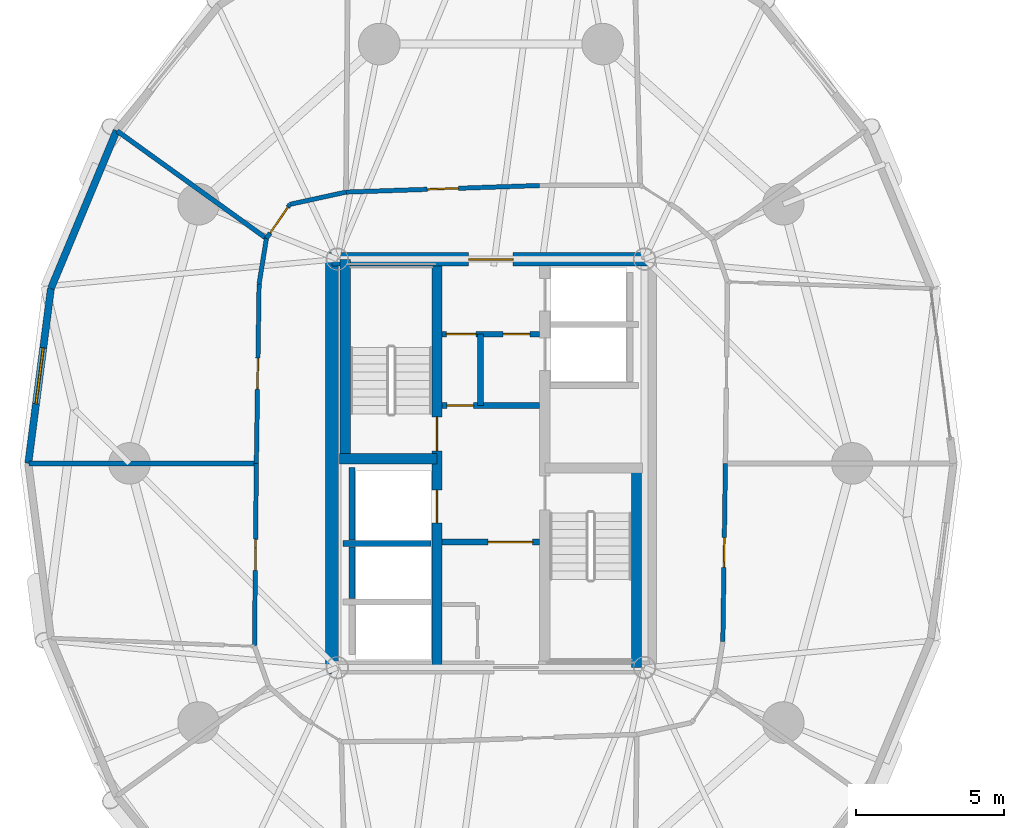
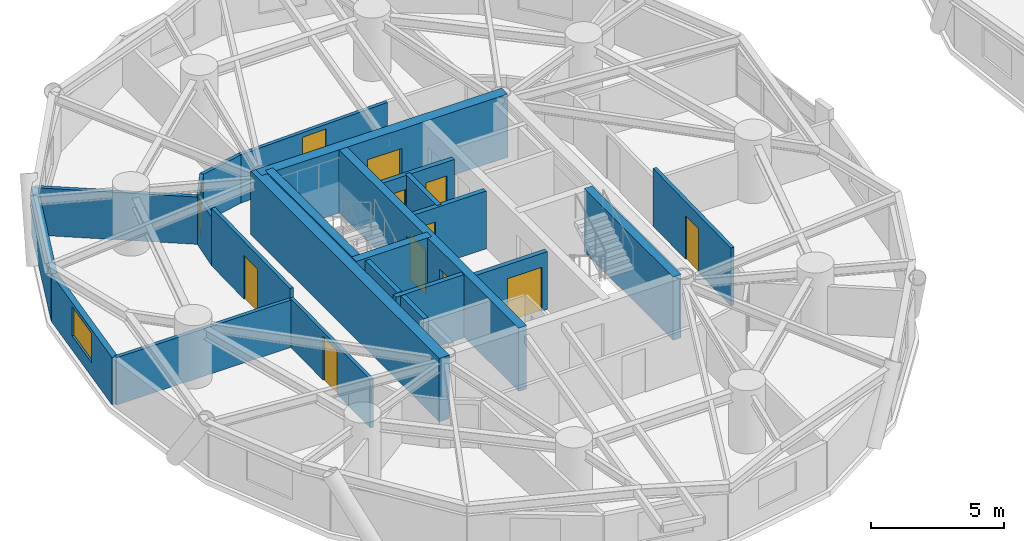
# One storey, part 10 of 17: 24 walls, 12 doors, 1 window, 13 openings.
"""IFC4 building model written with IfcOpenShell, lengths in metres."""

from ifc_helpers import new_model, si_unit, direction, frame, frame_2d, origin, place, context, subcontext, project, spatial, rectangle, extrude, source, transform, mapped, material, layer, layer_set, type_object, element, fill, save


model = new_model("IFC4")

# Units and contexts
model_context = context("Model", 3, precision=1e-05, world=origin(), true_north=direction((0.0, 1.0)))
body_context = subcontext(model_context, "Body", "Model", "MODEL_VIEW")
ifc_project = project(units=[si_unit("LENGTHUNIT", "METRE"), si_unit("AREAUNIT", "SQUARE_METRE"), si_unit("VOLUMEUNIT", "CUBIC_METRE"), si_unit("PLANEANGLEUNIT", "RADIAN"), si_unit("MASSUNIT", "GRAM", prefix="KILO")], contexts=[model_context])

# Site, building, storey
site_placement = place(None, origin())
site = spatial("IfcSite", under=ifc_project, at=site_placement, CompositionType="ELEMENT")
building_placement = place(site_placement, origin())
building = spatial("IfcBuilding", under=site, at=building_placement, Name="Cununo Teusaquillo Station Towers", CompositionType="ELEMENT")
storey_placement = place(building_placement, frame((0.0, 0.0, 81.7900390625)))
storey = spatial("IfcBuildingStorey", under=building, at=storey_placement, Name="L25", CompositionType="ELEMENT", Elevation=81.7900390625)

# Walls
ifc_material_1 = material(Name="Concrete C50/60", Category="concrete")
ifc_layer_1 = layer(ifc_material_1, 0.199951171875)
ifc_layer_set_1 = layer_set([ifc_layer_1], Name="Concrete C50/60")
wall_type_1 = type_object("IfcWallType", Name="WL-CORE-200", PredefinedType="SHEAR", material=ifc_layer_set_1)
wall_1_placement = place(storey_placement, frame((11.52001953125, 21.800048828125, 0.0), z_axis=(0.0, 0.0, 1.0), x_axis=(1.0, 0.0, 0.0)))
element("IfcWall", 1, at=wall_1_placement, inside=storey, type_object=wall_type_1, Name="L25 Tower A Firefighting Lift Shaft South Shear Wall", PredefinedType="SHEAR", context=body_context, shape_type="SweptSolid", body=[
    extrude(rectangle(XDim=2.969970703125, YDim=0.199951171875, at=frame_2d((1.48486328125, 0.0))), origin(), (0.0, 0.0, 1.0), 2.909912109375),
])
wall_2_placement = place(storey_placement, frame((11.820068359375, 21.919921875, 0.0), z_axis=(0.0, 0.0, 1.0), x_axis=(0.0, 1.0, 0.0)))
element("IfcWall", 2, at=wall_2_placement, inside=storey, type_object=wall_type_1, Name="L25 Tower A Firefighting Lift Shaft Rear Shear Wall", PredefinedType="SHEAR", context=body_context, shape_type="SweptSolid", body=[
    extrude(rectangle(XDim=2.440185546875, YDim=0.199951171875, at=frame_2d((1.22021484375, 0.0))), origin(), (0.0, 0.0, 1.0), 2.909912109375),
])
wall_3_placement = place(storey_placement, frame((11.820068359375, 19.945068359375, 0.0), z_axis=(0.0, 0.0, 1.0), x_axis=(0.0, 1.0, 0.0)))
element("IfcWall", 3, at=wall_3_placement, inside=storey, type_object=wall_type_1, Name="L25 Tower A High-Rise Lift 2 Shaft Rear Shear Wall", PredefinedType="SHEAR", context=body_context, shape_type="SweptSolid", body=[
    extrude(rectangle(XDim=1.73486328125, YDim=0.199951171875, at=frame_2d((0.867431640625, 0.0))), origin(), (0.0, 0.0, 1.0), 2.909912109375),
])

# Wall, openings, doors
ifc_material_2 = material(Name="Concrete C50/60", Category="concrete")
ifc_layer_2 = layer(ifc_material_2, 0.35009765625)
ifc_layer_set_2 = layer_set([ifc_layer_2], Name="Concrete C50/60")
wall_type_2 = type_object("IfcWallType", Name="WL-CORE-350", PredefinedType="SHEAR", material=ifc_layer_set_2)
wall_4_placement = place(storey_placement, frame((14.68505859375, 17.625, 0.0), z_axis=(0.0, 0.0, 1.0), x_axis=(0.0, 1.0, 0.0)))
wall_4 = element("IfcWall", 4, at=wall_4_placement, inside=storey, type_object=wall_type_2, Name="L25 Tower A Core Shear Wall IW", PredefinedType="SHEAR", context=body_context, shape_type="SweptSolid", body=[
    extrude(rectangle(XDim=13.75, YDim=0.35009765625, at=frame_2d((6.875, 0.0))), origin(), (0.0, 0.0, 1.0), 2.909912109375),
])
shared_shape_1 = source(origin(), body_context, "Body", "SweptSolid", [
    extrude(rectangle(XDim=1.10009765625, YDim=2.014892578125, at=frame_2d((0.550048828125, 1.00732421875))), frame((0.0, 0.18505859375, 0.0), z_axis=(0.0, -1.0, 0.0), x_axis=(1.0, 0.0, 0.0)), (0.0, 0.0, 1.0), 0.3701171875),
])
opening_1_placement = place(wall_4_placement, frame((4.875, 0.0, 0.0)))
opening_1 = element("IfcOpeningElement", 5, at=opening_1_placement, cuts=wall_4, Name="Opening LD-01", PredefinedType="OPENING", context=body_context, shape_type="MappedRepresentation", body=[
    mapped(shared_shape_1, transform((0.0, 0.0, 0.0), x_axis=(1.0, 0.0, 0.0), y_axis=(0.0, 1.0, 0.0), z_axis=(0.0, 0.0, 1.0), scale=1.0)),
])
shared_shape_2 = source(origin(), body_context, "Body", "SweptSolid", [
    extrude(rectangle(XDim=1.14990234375, YDim=2.02001953125, at=frame_2d((0.574951171875, 1.010009765625))), frame((0.0, 0.18505859375, 0.0), z_axis=(0.0, -1.0, 0.0), x_axis=(1.0, 0.0, 0.0)), (0.0, 0.0, 1.0), 0.3701171875),
])
opening_2_placement = place(wall_4_placement, frame((7.294921875, 0.0, 0.0)))
opening_2 = element("IfcOpeningElement", 6, at=opening_2_placement, cuts=wall_4, Name="Opening D-ST1", PredefinedType="OPENING", context=body_context, shape_type="MappedRepresentation", body=[
    mapped(shared_shape_2, transform((0.0, 0.0, 0.0), x_axis=(1.0, 0.0, 0.0), y_axis=(0.0, 1.0, 0.0), z_axis=(0.0, 0.0, 1.0), scale=1.0)),
])
ifc_material_3 = material(Name="Galvanised fire-rated hollow steel door assembly", Category="steel")
door_type_1 = type_object("IfcDoorType", Name="DR-LIFT-1100", OperationType="SLIDING_TO_LEFT", PredefinedType="DOOR", material=ifc_material_3)
shared_shape_3 = source(origin(), body_context, "Body", "SweptSolid", [
    extrude(rectangle(XDim=1.10009765625, YDim=2.014892578125, at=frame_2d((0.550048828125, 1.00732421875))), frame((0.0, 0.02490234375, 0.0), z_axis=(0.0, -1.0, 0.0), x_axis=(1.0, 0.0, 0.0)), (0.0, 0.0, 1.0), 0.050048828125),
])
door_1_placement = place(opening_1_placement, origin())
door_1 = element("IfcDoor", 7, at=door_1_placement, inside=storey, type_object=door_type_1, Name="L25 Lift FL-T1 Sliding Landing Door", OperationType="SLIDING_TO_RIGHT", OverallHeight=2.014892578125, OverallWidth=1.10009765625, PredefinedType="DOOR", context=body_context, shape_type="MappedRepresentation", body=[
    mapped(shared_shape_3, transform((0.0, 0.0, 0.0), x_axis=(1.0, 0.0, 0.0), y_axis=(0.0, 1.0, 0.0), z_axis=(0.0, 0.0, 1.0), scale=1.0)),
])
fill(opening_1, door_1)
ifc_material_4 = material(Name="Galvanised fire-rated hollow steel door assembly", Category="steel")
door_type_2 = type_object("IfcDoorType", Name="DR-STAIR-1150", OperationType="NOTDEFINED", PredefinedType="DOOR", material=ifc_material_4)
shared_shape_4 = source(origin(), body_context, "Body", "SweptSolid", [
    extrude(rectangle(XDim=1.14990234375, YDim=2.02001953125, at=frame_2d((0.574951171875, 1.010009765625))), frame((0.0, 0.02490234375, 0.0), z_axis=(0.0, -1.0, 0.0), x_axis=(1.0, 0.0, 0.0)), (0.0, 0.0, 1.0), 0.050048828125),
])
door_2_placement = place(opening_2_placement, origin())
door_2 = element("IfcDoor", 8, at=door_2_placement, inside=storey, type_object=door_type_2, Name="L25 Tower A Exit Stair 1 Fire Door", OperationType="SINGLE_SWING_LEFT", OverallHeight=2.02001953125, OverallWidth=1.14990234375, PredefinedType="DOOR", context=body_context, shape_type="MappedRepresentation", body=[
    mapped(shared_shape_4, transform((0.0, 0.0, 0.0), x_axis=(1.0, 0.0, 0.0), y_axis=(0.0, 1.0, 0.0), z_axis=(0.0, 0.0, 1.0), scale=1.0)),
])
fill(opening_2, door_2)

# Walls
wall_5_placement = place(storey_placement, frame((11.594970703125, 24.655029296875, 0.0), z_axis=(0.0, 0.0, 1.0), x_axis=(0.0, 1.0, 0.0)))
element("IfcWall", 9, at=wall_5_placement, inside=storey, type_object=wall_type_2, Name="L25 Tower A Core Shear Wall ST1W", PredefinedType="SHEAR", context=body_context, shape_type="SweptSolid", body=[
    extrude(rectangle(XDim=6.719970703125, YDim=0.35009765625, at=frame_2d((3.35986328125, 0.0))), origin(), (0.0, 0.0, 1.0), 2.909912109375),
])
wall_6_placement = place(storey_placement, frame((11.39990234375, 24.655029296875, 0.0), z_axis=(0.0, 0.0, 1.0), x_axis=(1.0, 0.0, 0.0)))
element("IfcWall", 10, at=wall_6_placement, inside=storey, type_object=wall_type_2, Name="L25 Tower A Core Shear Wall ST1S", PredefinedType="SHEAR", context=body_context, shape_type="SweptSolid", body=[
    extrude(rectangle(XDim=3.28515625, YDim=0.35009765625, at=frame_2d((1.642578125, 0.0))), origin(), (0.0, 0.0, 1.0), 2.909912109375),
])
wall_7_placement = place(storey_placement, frame((21.405029296875, 17.625, 0.0), z_axis=(0.0, 0.0, 1.0), x_axis=(0.0, 1.0, 0.0)))
element("IfcWall", 11, at=wall_7_placement, inside=storey, type_object=wall_type_2, Name="L25 Tower A Core Shear Wall ST2E", PredefinedType="SHEAR", context=body_context, shape_type="SweptSolid", body=[
    extrude(rectangle(XDim=6.719970703125, YDim=0.35009765625, at=frame_2d((3.35986328125, 0.0))), origin(), (0.0, 0.0, 1.0), 2.909912109375),
])
ifc_material_5 = material(Name="Concrete C60/75", Category="concrete")
ifc_layer_3 = layer(ifc_material_5, 0.449951171875)
ifc_layer_set_3 = layer_set([ifc_layer_3], Name="Concrete C60/75")
wall_type_3 = type_object("IfcWallType", Name="WL-CORE-450", PredefinedType="SHEAR", material=ifc_layer_set_3)
wall_8_placement = place(storey_placement, frame((11.14990234375, 17.39990234375, 0.0), z_axis=(0.0, 0.0, 1.0), x_axis=(0.0, 1.0, 0.0)))
element("IfcWall", 12, at=wall_8_placement, inside=storey, type_object=wall_type_3, Name="L25 Tower A Core Shear Wall W", PredefinedType="SHEAR", context=body_context, shape_type="SweptSolid", body=[
    extrude(rectangle(XDim=14.2001953125, YDim=0.449951171875, at=frame_2d((7.10009765625, 0.0))), origin(), (0.0, 0.0, 1.0), 2.909912109375),
])

# Wall, opening, door
wall_9_placement = place(storey_placement, frame((11.14990234375, 31.375, 0.0), z_axis=(0.0, 0.0, 1.0), x_axis=(1.0, 0.0, 0.0)))
wall_9 = element("IfcWall", 13, at=wall_9_placement, inside=storey, type_object=wall_type_3, Name="L25 Tower A Core Shear Wall N", PredefinedType="SHEAR", context=body_context, shape_type="SweptSolid", body=[
    extrude(rectangle(XDim=10.7001953125, YDim=0.449951171875, at=frame_2d((5.35009765625, 0.0))), origin(), (0.0, 0.0, 1.0), 2.909912109375),
])
shared_shape_5 = source(origin(), body_context, "Body", "SweptSolid", [
    extrude(rectangle(XDim=1.5, YDim=2.02001953125, at=frame_2d((0.75, 1.010009765625))), frame((0.0, 0.23486328125, 0.0), z_axis=(0.0, -1.0, 0.0), x_axis=(1.0, 0.0, 0.0)), (0.0, 0.0, 1.0), 0.469970703125),
])
opening_3_placement = place(wall_9_placement, frame((4.60009765625, 0.0, 0.0)))
opening_3 = element("IfcOpeningElement", 14, at=opening_3_placement, cuts=wall_9, Name="Opening D-LB1", PredefinedType="OPENING", context=body_context, shape_type="MappedRepresentation", body=[
    mapped(shared_shape_5, transform((0.0, 0.0, 0.0), x_axis=(1.0, 0.0, 0.0), y_axis=(0.0, 1.0, 0.0), z_axis=(0.0, 0.0, 1.0), scale=1.0)),
])
ifc_material_6 = material(Name="Galvanised fire-rated hollow steel door assembly", Category="steel")
door_type_3 = type_object("IfcDoorType", Name="DR-LOBBY-1500", OperationType="DOUBLE_DOOR_SINGLE_SWING", PredefinedType="DOOR", material=ifc_material_6)
shared_shape_6 = source(origin(), body_context, "Body", "SweptSolid", [
    extrude(rectangle(XDim=1.5, YDim=2.02001953125, at=frame_2d((0.75, 1.010009765625))), frame((0.0, 0.02490234375, 0.0), z_axis=(0.0, -1.0, 0.0), x_axis=(1.0, 0.0, 0.0)), (0.0, 0.0, 1.0), 0.050048828125),
])
door_3_placement = place(opening_3_placement, origin())
door_3 = element("IfcDoor", 15, at=door_3_placement, inside=storey, type_object=door_type_3, Name="L25 Tower A North Core Lift Lobby Door", OperationType="DOUBLE_DOOR_SINGLE_SWING", OverallHeight=2.02001953125, OverallWidth=1.5, PredefinedType="DOOR", context=body_context, shape_type="MappedRepresentation", body=[
    mapped(shared_shape_6, transform((0.0, 0.0, 0.0), x_axis=(1.0, 0.0, 0.0), y_axis=(0.0, 1.0, 0.0), z_axis=(0.0, 0.0, 1.0), scale=1.0)),
])
fill(opening_3, door_3)

# Wall
ifc_material_7 = material(Name="Precast concrete C40/50", Category="concrete")
ifc_layer_4 = layer(ifc_material_7, 0.239990234375)
ifc_layer_set_4 = layer_set([ifc_layer_4], Name="Precast concrete C40/50")
wall_type_4 = type_object("IfcWallType", Name="WL-EXT-240", PredefinedType="SOLIDWALL", material=ifc_layer_set_4)
wall_10_placement = place(storey_placement, frame((1.681640625, 30.39306640625, 0.0), z_axis=(0.0, 0.0, 1.0), x_axis=(0.384344417632, 0.923189779317, 0.0)))
element("IfcWall", 16, at=wall_10_placement, inside=storey, type_object=wall_type_4, Name="L25 Tower A Exterior Facade Wall C08", PredefinedType="SOLIDWALL", context=body_context, shape_type="SweptSolid", body=[
    extrude(rectangle(XDim=5.75830078125, YDim=0.239990234375, at=frame_2d((2.879150390625, 0.0))), origin(), (0.0, 0.0, 1.0), 2.178955078125),
])

# Wall, opening, window
wall_11_placement = place(storey_placement, frame((0.9189453125, 24.5, 0.0), z_axis=(0.0, 0.0, 1.0), x_axis=(0.128351991996, 0.991728675672, 0.0)))
wall_11 = element("IfcWall", 17, at=wall_11_placement, inside=storey, type_object=wall_type_4, Name="L25 Tower A Exterior Facade Wall C09", PredefinedType="SOLIDWALL", context=body_context, shape_type="SweptSolid", body=[
    extrude(rectangle(XDim=5.942138671875, YDim=0.239990234375, at=frame_2d((2.97119140625, 0.0))), origin(), (0.0, 0.0, 1.0), 2.178955078125),
])
shared_shape_7 = source(origin(), body_context, "Body", "SweptSolid", [
    extrude(rectangle(XDim=1.89990234375, YDim=1.35009765625, at=frame_2d((0.949951171875, 0.675048828125))), frame((0.0, 0.1298828125, 0.0), z_axis=(0.0, -1.0, 0.0), x_axis=(1.0, 0.0, 0.0)), (0.0, 0.0, 1.0), 0.260009765625),
])
opening_4_placement = place(wall_11_placement, frame((2.02099609375, 0.0, 0.64990234375)))
opening_4 = element("IfcOpeningElement", 18, at=opening_4_placement, cuts=wall_11, Name="Opening WN-02", PredefinedType="OPENING", context=body_context, shape_type="MappedRepresentation", body=[
    mapped(shared_shape_7, transform((0.0, 0.0, 0.0), x_axis=(1.0, 0.0, 0.0), y_axis=(0.0, 1.0, 0.0), z_axis=(0.0, 0.0, 1.0), scale=1.0)),
])
ifc_material_8 = material(Name="Operable acoustic tinted low-E double glazing", Category="glass")
window_type = type_object("IfcWindowType", Name="WIN-OPER-1900", PartitioningType="DOUBLE_PANEL_VERTICAL", PredefinedType="WINDOW", material=ifc_material_8)
shared_shape_8 = source(origin(), body_context, "Body", "SweptSolid", [
    extrude(rectangle(XDim=1.89990234375, YDim=1.35009765625, at=frame_2d((0.949951171875, 0.675048828125))), frame((0.0, 0.030029296875, 0.0), z_axis=(0.0, -1.0, 0.0), x_axis=(1.0, 0.0, 0.0)), (0.0, 0.0, 1.0), 0.06005859375),
])
window_placement = place(opening_4_placement, origin())
window = element("IfcWindow", 19, at=window_placement, inside=storey, type_object=window_type, Name="L25 Tower A Facade Window C09", OverallHeight=1.35009765625, OverallWidth=1.89990234375, PartitioningType="DOUBLE_PANEL_VERTICAL", PredefinedType="WINDOW", context=body_context, shape_type="MappedRepresentation", body=[
    mapped(shared_shape_8, transform((0.0, 0.0, 0.0), x_axis=(1.0, 0.0, 0.0), y_axis=(0.0, 1.0, 0.0), z_axis=(0.0, 0.0, 1.0), scale=1.0)),
])
fill(opening_4, window)

# Wall, opening, door
ifc_material_9 = material(Name="Fire-rated gypsum plasterboard partition assembly", Category="gypsum")
ifc_layer_5 = layer(ifc_material_9, 0.14990234375)
ifc_layer_set_5 = layer_set([ifc_layer_5], Name="Fire-rated gypsum plasterboard partition assembly")
wall_type_5 = type_object("IfcWallType", Name="WL-PART-150", PredefinedType="PARTITIONING", material=ifc_layer_set_5)
wall_12_placement = place(storey_placement, frame((18.142822265625, 33.859619140625, 0.0), z_axis=(0.0, 0.0, 1.0), x_axis=(-0.999419208319, -0.034077060363, 0.0)))
wall_12 = element("IfcWall", 20, at=wall_12_placement, inside=storey, type_object=wall_type_5, Name="L25 Tower A Corridor Ring Wall C05", PredefinedType="PARTITIONING", context=body_context, shape_type="SweptSolid", body=[
    extrude(rectangle(XDim=6.52685546875, YDim=0.14990234375, at=frame_2d((3.263427734375, 0.0))), origin(), (0.0, 0.0, 1.0), 2.224853515625),
])
shared_shape_9 = source(origin(), body_context, "Body", "SweptSolid", [
    extrude(rectangle(XDim=1.050048828125, YDim=2.014892578125, at=frame_2d((0.52490234375, 1.00732421875))), frame((0.0, 0.0849609375, 0.0), z_axis=(0.0, -1.0, 0.0), x_axis=(1.0, 0.0, 0.0)), (0.0, 0.0, 1.0), 0.169921875),
])
opening_5_placement = place(wall_12_placement, frame((2.73828125, 0.0, 0.0)))
opening_5 = element("IfcOpeningElement", 21, at=opening_5_placement, cuts=wall_12, Name="Opening D-SU1", PredefinedType="OPENING", context=body_context, shape_type="MappedRepresentation", body=[
    mapped(shared_shape_9, transform((0.0, 0.0, 0.0), x_axis=(1.0, 0.0, 0.0), y_axis=(0.0, 1.0, 0.0), z_axis=(0.0, 0.0, 1.0), scale=1.0)),
])
ifc_material_10 = material(Name="Acoustic solid-core hardwood leaf assembly", Category="wood")
door_type_4 = type_object("IfcDoorType", Name="DR-SUITE-1050", OperationType="NOTDEFINED", PredefinedType="DOOR", material=ifc_material_10)
shared_shape_10 = source(origin(), body_context, "Body", "SweptSolid", [
    extrude(rectangle(XDim=1.050048828125, YDim=2.014892578125, at=frame_2d((0.52490234375, 1.00732421875))), frame((0.0, 0.02490234375, 0.0), z_axis=(0.0, -1.0, 0.0), x_axis=(1.0, 0.0, 0.0)), (0.0, 0.0, 1.0), 0.050048828125),
])
door_4_placement = place(opening_5_placement, origin())
door_4 = element("IfcDoor", 22, at=door_4_placement, inside=storey, type_object=door_type_4, Name="L25 Tower A Associate Open-Plan Workplace Entrance Door", OperationType="SINGLE_SWING_RIGHT", OverallHeight=2.014892578125, OverallWidth=1.050048828125, PredefinedType="DOOR", context=body_context, shape_type="MappedRepresentation", body=[
    mapped(shared_shape_10, transform((0.0, 0.0, 0.0), x_axis=(1.0, 0.0, 0.0), y_axis=(0.0, 1.0, 0.0), z_axis=(0.0, 0.0, 1.0), scale=1.0)),
])
fill(opening_5, door_4)

# Wall
wall_13_placement = place(storey_placement, frame((11.619873046875, 33.63720703125, 0.0), z_axis=(0.0, 0.0, 1.0), x_axis=(-0.97702579435, -0.213121085711, 0.0)))
element("IfcWall", 23, at=wall_13_placement, inside=storey, type_object=wall_type_5, Name="L25 Tower A Corridor Ring Wall C06", PredefinedType="PARTITIONING", context=body_context, shape_type="SweptSolid", body=[
    extrude(rectangle(XDim=1.934814453125, YDim=0.14990234375, at=frame_2d((0.96728515625, 0.0))), origin(), (0.0, 0.0, 1.0), 2.224853515625),
])

# Wall, opening, door
wall_14_placement = place(storey_placement, frame((9.7294921875, 33.224853515625, 0.0), z_axis=(0.0, 0.0, 1.0), x_axis=(-0.567183649484, -0.82359134755, 0.0)))
wall_14 = element("IfcWall", 24, at=wall_14_placement, inside=storey, type_object=wall_type_5, Name="L25 Tower A Corridor Ring Wall C07", PredefinedType="PARTITIONING", context=body_context, shape_type="SweptSolid", body=[
    extrude(rectangle(XDim=1.39208984375, YDim=0.14990234375, at=frame_2d((0.696044921875, 0.0))), origin(), (0.0, 0.0, 1.0), 2.224853515625),
])
opening_6_placement = place(wall_14_placement, frame((0.1201171875, 0.0, 0.0)))
opening_6 = element("IfcOpeningElement", 25, at=opening_6_placement, cuts=wall_14, Name="Opening D-SU1", PredefinedType="OPENING", context=body_context, shape_type="MappedRepresentation", body=[
    mapped(shared_shape_9, transform((0.0, 0.0, 0.0), x_axis=(1.0, 0.0, 0.0), y_axis=(0.0, 1.0, 0.0), z_axis=(0.0, 0.0, 1.0), scale=1.0)),
])
door_5_placement = place(opening_6_placement, origin())
door_5 = element("IfcDoor", 26, at=door_5_placement, inside=storey, type_object=door_type_4, Name="L25 Tower A Legal Research Library Entrance Door", OperationType="SINGLE_SWING_LEFT", OverallHeight=2.014892578125, OverallWidth=1.050048828125, PredefinedType="DOOR", context=body_context, shape_type="MappedRepresentation", body=[
    mapped(shared_shape_10, transform((0.0, 0.0, 0.0), x_axis=(1.0, 0.0, 0.0), y_axis=(0.0, 1.0, 0.0), z_axis=(0.0, 0.0, 1.0), scale=1.0)),
])
fill(opening_6, door_5)

# Wall
wall_15_placement = place(storey_placement, frame((8.93994140625, 32.078369140625, 0.0), z_axis=(0.0, 0.0, 1.0), x_axis=(-0.159148467753, -0.98725466077, 0.0)))
element("IfcWall", 27, at=wall_15_placement, inside=storey, type_object=wall_type_5, Name="L25 Tower A Corridor Ring Wall C08", PredefinedType="PARTITIONING", context=body_context, shape_type="SweptSolid", body=[
    extrude(rectangle(XDim=1.553955078125, YDim=0.14990234375, at=frame_2d((0.77685546875, 0.0))), origin(), (0.0, 0.0, 1.0), 2.224853515625),
])

# Wall, opening, door
wall_16_placement = place(storey_placement, frame((8.692626953125, 30.544189453125, 0.0), z_axis=(0.0, 0.0, 1.0), x_axis=(-0.015307007986, -0.99988284089, 0.0)))
wall_16 = element("IfcWall", 28, at=wall_16_placement, inside=storey, type_object=wall_type_5, Name="L25 Tower A Corridor Ring Wall C09", PredefinedType="PARTITIONING", context=body_context, shape_type="SweptSolid", body=[
    extrude(rectangle(XDim=6.044921875, YDim=0.14990234375, at=frame_2d((3.0224609375, 0.0))), origin(), (0.0, 0.0, 1.0), 2.655029296875),
])
opening_7_placement = place(wall_16_placement, frame((2.497314453125, 0.0, 0.0)))
opening_7 = element("IfcOpeningElement", 29, at=opening_7_placement, cuts=wall_16, Name="Opening D-SU1", PredefinedType="OPENING", context=body_context, shape_type="MappedRepresentation", body=[
    mapped(shared_shape_9, transform((0.0, 0.0, 0.0), x_axis=(1.0, 0.0, 0.0), y_axis=(0.0, 1.0, 0.0), z_axis=(0.0, 0.0, 1.0), scale=1.0)),
])
door_6_placement = place(opening_7_placement, origin())
door_6 = element("IfcDoor", 30, at=door_6_placement, inside=storey, type_object=door_type_4, Name="L25 Tower A Paralegal Casework Office Entrance Door", OperationType="SINGLE_SWING_RIGHT", OverallHeight=2.014892578125, OverallWidth=1.050048828125, PredefinedType="DOOR", context=body_context, shape_type="MappedRepresentation", body=[
    mapped(shared_shape_10, transform((0.0, 0.0, 0.0), x_axis=(1.0, 0.0, 0.0), y_axis=(0.0, 1.0, 0.0), z_axis=(0.0, 0.0, 1.0), scale=1.0)),
])
fill(opening_7, door_6)

wall_17_placement = place(storey_placement, frame((8.60009765625, 24.5, 0.0), z_axis=(0.0, 0.0, 1.0), x_axis=(-0.010023665349, -0.999949761805, 0.0)))
wall_17 = element("IfcWall", 31, at=wall_17_placement, inside=storey, type_object=wall_type_5, Name="L25 Tower A Corridor Ring Wall C10", PredefinedType="PARTITIONING", context=body_context, shape_type="SweptSolid", body=[
    extrude(rectangle(XDim=6.162109375, YDim=0.14990234375, at=frame_2d((3.0810546875, 0.0))), origin(), (0.0, 0.0, 1.0), 2.224853515625),
])
opening_8_placement = place(wall_17_placement, frame((2.55615234375, 0.0, 0.0)))
opening_8 = element("IfcOpeningElement", 32, at=opening_8_placement, cuts=wall_17, Name="Opening D-SU1", PredefinedType="OPENING", context=body_context, shape_type="MappedRepresentation", body=[
    mapped(shared_shape_9, transform((0.0, 0.0, 0.0), x_axis=(1.0, 0.0, 0.0), y_axis=(0.0, 1.0, 0.0), z_axis=(0.0, 0.0, 1.0), scale=1.0)),
])
door_7_placement = place(opening_8_placement, origin())
door_7 = element("IfcDoor", 33, at=door_7_placement, inside=storey, type_object=door_type_4, Name="L25 Tower A Managing Partner Corner Chambers Entrance Door", OperationType="SINGLE_SWING_LEFT", OverallHeight=2.014892578125, OverallWidth=1.050048828125, PredefinedType="DOOR", context=body_context, shape_type="MappedRepresentation", body=[
    mapped(shared_shape_10, transform((0.0, 0.0, 0.0), x_axis=(1.0, 0.0, 0.0), y_axis=(0.0, 1.0, 0.0), z_axis=(0.0, 0.0, 1.0), scale=1.0)),
])
fill(opening_8, door_7)

wall_18_placement = place(storey_placement, frame((24.3134765625, 18.496337890625, 0.0), z_axis=(0.0, 0.0, 1.0), x_axis=(0.014394019188, 0.999896400739, 0.0)))
wall_18 = element("IfcWall", 34, at=wall_18_placement, inside=storey, type_object=wall_type_5, Name="L25 Tower A Corridor Ring Wall C19", PredefinedType="PARTITIONING", context=body_context, shape_type="SweptSolid", body=[
    extrude(rectangle(XDim=6.00439453125, YDim=0.14990234375, at=frame_2d((3.002197265625, 0.0))), origin(), (0.0, 0.0, 1.0), 2.655029296875),
])
shared_shape_11 = source(origin(), body_context, "Body", "SweptSolid", [
    extrude(rectangle(XDim=1.0, YDim=2.014892578125, at=frame_2d((0.5, 1.00732421875))), frame((0.0, 0.0849609375, 0.0), z_axis=(0.0, -1.0, 0.0), x_axis=(1.0, 0.0, 0.0)), (0.0, 0.0, 1.0), 0.169921875),
])
opening_9_placement = place(wall_18_placement, frame((2.502197265625, 0.0, 0.0)))
opening_9 = element("IfcOpeningElement", 35, at=opening_9_placement, cuts=wall_18, Name="Opening D-AC1", PredefinedType="OPENING", context=body_context, shape_type="MappedRepresentation", body=[
    mapped(shared_shape_11, transform((0.0, 0.0, 0.0), x_axis=(1.0, 0.0, 0.0), y_axis=(0.0, 1.0, 0.0), z_axis=(0.0, 0.0, 1.0), scale=1.0)),
])
ifc_material_11 = material(Name="Acoustic solid-core hardwood leaf assembly", Category="wood")
door_type_5 = type_object("IfcDoorType", Name="DR-ACC-1000", OperationType="NOTDEFINED", PredefinedType="DOOR", material=ifc_material_11)
shared_shape_12 = source(origin(), body_context, "Body", "SweptSolid", [
    extrude(rectangle(XDim=1.0, YDim=2.014892578125, at=frame_2d((0.5, 1.00732421875))), frame((0.0, 0.02490234375, 0.0), z_axis=(0.0, -1.0, 0.0), x_axis=(1.0, 0.0, 0.0)), (0.0, 0.0, 1.0), 0.050048828125),
])
door_8_placement = place(opening_9_placement, origin())
door_8 = element("IfcDoor", 36, at=door_8_placement, inside=storey, type_object=door_type_5, Name="L25 Tower A Public Accessible Restroom WC Entrance Door", OperationType="SINGLE_SWING_RIGHT", OverallHeight=2.014892578125, OverallWidth=1.0, PredefinedType="DOOR", context=body_context, shape_type="MappedRepresentation", body=[
    mapped(shared_shape_12, transform((0.0, 0.0, 0.0), x_axis=(1.0, 0.0, 0.0), y_axis=(0.0, 1.0, 0.0), z_axis=(0.0, 0.0, 1.0), scale=1.0)),
])
fill(opening_9, door_8)

# Walls
ifc_material_12 = material(Name="Fire-rated gypsum plasterboard partition assembly", Category="gypsum")
ifc_layer_6 = layer(ifc_material_12, 0.159912109375)
ifc_layer_set_6 = layer_set([ifc_layer_6], Name="Fire-rated gypsum plasterboard partition assembly")
wall_type_6 = type_object("IfcWallType", Name="WL-PART-160", PredefinedType="PARTITIONING", material=ifc_layer_set_6)
wall_19_placement = place(storey_placement, frame((8.93994140625, 32.078369140625, 0.0), z_axis=(0.0, 0.0, 1.0), x_axis=(-0.811689023641, 0.584089829479, 0.0)))
element("IfcWall", 37, at=wall_19_placement, inside=storey, type_object=wall_type_6, Name="L25 Tower A Radial Suite Partition R05", PredefinedType="PARTITIONING", context=body_context, shape_type="SweptSolid", body=[
    extrude(rectangle(XDim=6.19580078125, YDim=0.159912109375, at=frame_2d((3.097900390625, 0.0))), origin(), (0.0, 0.0, 1.0), 2.178955078125),
])
wall_20_placement = place(storey_placement, frame((8.60009765625, 24.5, 0.0), z_axis=(0.0, 0.0, 1.0), x_axis=(-1.0, 0.0, 0.0)))
element("IfcWall", 38, at=wall_20_placement, inside=storey, type_object=wall_type_6, Name="L25 Tower A Radial Suite Partition R06", PredefinedType="PARTITIONING", context=body_context, shape_type="SweptSolid", body=[
    extrude(rectangle(XDim=7.6611328125, YDim=0.159912109375, at=frame_2d((3.83056640625, 0.0))), origin(), (0.0, 0.0, 1.0), 2.178955078125),
])

# Wall, opening, door
ifc_material_13 = material(Name="Fire-rated gypsum plasterboard partition assembly", Category="gypsum")
ifc_layer_7 = layer(ifc_material_13, 0.199951171875)
ifc_layer_set_7 = layer_set([ifc_layer_7], Name="Fire-rated gypsum plasterboard partition assembly")
wall_type_7 = type_object("IfcWallType", Name="WL-PART-200", PredefinedType="PARTITIONING", material=ifc_layer_set_7)
wall_21_placement = place(storey_placement, frame((14.860107421875, 21.85009765625, 0.0), z_axis=(0.0, 0.0, 1.0), x_axis=(1.0, 0.0, 0.0)))
wall_21 = element("IfcWall", 39, at=wall_21_placement, inside=storey, type_object=wall_type_7, Name="L25 Tower A Firefighting Lift Lobby South Fire Wall", PredefinedType="PARTITIONING", context=body_context, shape_type="SweptSolid", body=[
    extrude(rectangle(XDim=3.27978515625, YDim=0.199951171875, at=frame_2d((1.639892578125, 0.0))), origin(), (0.0, 0.0, 1.0), 2.655029296875),
])
shared_shape_13 = source(origin(), body_context, "Body", "SweptSolid", [
    extrude(rectangle(XDim=1.5, YDim=2.02001953125, at=frame_2d((0.75, 1.010009765625))), frame((0.0, 0.10986328125, 0.0), z_axis=(0.0, -1.0, 0.0), x_axis=(1.0, 0.0, 0.0)), (0.0, 0.0, 1.0), 0.219970703125),
])
opening_10_placement = place(wall_21_placement, frame((1.550048828125, 0.0, 0.0)))
opening_10 = element("IfcOpeningElement", 40, at=opening_10_placement, cuts=wall_21, Name="Opening D-LB1", PredefinedType="OPENING", context=body_context, shape_type="MappedRepresentation", body=[
    mapped(shared_shape_13, transform((0.0, 0.0, 0.0), x_axis=(1.0, 0.0, 0.0), y_axis=(0.0, 1.0, 0.0), z_axis=(0.0, 0.0, 1.0), scale=1.0)),
])
door_9_placement = place(opening_10_placement, origin())
door_9 = element("IfcDoor", 41, at=door_9_placement, inside=storey, type_object=door_type_3, Name="L25 Tower A Firefighting Lift Lobby South Fire Door", OperationType="DOUBLE_DOOR_SINGLE_SWING", OverallHeight=2.02001953125, OverallWidth=1.5, PredefinedType="DOOR", context=body_context, shape_type="MappedRepresentation", body=[
    mapped(shared_shape_6, transform((0.0, 0.0, 0.0), x_axis=(1.0, 0.0, 0.0), y_axis=(0.0, 1.0, 0.0), z_axis=(0.0, 0.0, 1.0), scale=1.0)),
])
fill(opening_10, door_9)

wall_22_placement = place(storey_placement, frame((14.860107421875, 26.449951171875, 0.0), z_axis=(0.0, 0.0, 1.0), x_axis=(1.0, 0.0, 0.0)))
wall_22 = element("IfcWall", 42, at=wall_22_placement, inside=storey, type_object=wall_type_7, Name="L25 Tower A Firefighting Lift Lobby North Fire Wall", PredefinedType="PARTITIONING", context=body_context, shape_type="SweptSolid", body=[
    extrude(rectangle(XDim=3.27978515625, YDim=0.199951171875, at=frame_2d((1.639892578125, 0.0))), origin(), (0.0, 0.0, 1.0), 2.655029296875),
])
shared_shape_14 = source(origin(), body_context, "Body", "SweptSolid", [
    extrude(rectangle(XDim=0.89990234375, YDim=2.0048828125, at=frame_2d((0.449951171875, 1.00244140625))), frame((0.0, 0.10986328125, 0.0), z_axis=(0.0, -1.0, 0.0), x_axis=(1.0, 0.0, 0.0)), (0.0, 0.0, 1.0), 0.219970703125),
])
opening_11_placement = place(wall_22_placement, frame((0.159912109375, 0.0, 0.0)))
opening_11 = element("IfcOpeningElement", 43, at=opening_11_placement, cuts=wall_22, Name="Opening D-SR1", PredefinedType="OPENING", context=body_context, shape_type="MappedRepresentation", body=[
    mapped(shared_shape_14, transform((0.0, 0.0, 0.0), x_axis=(1.0, 0.0, 0.0), y_axis=(0.0, 1.0, 0.0), z_axis=(0.0, 0.0, 1.0), scale=1.0)),
])
ifc_material_14 = material(Name="Galvanised fire-rated hollow steel door assembly", Category="steel")
door_type_6 = type_object("IfcDoorType", Name="DR-STORE-900", OperationType="NOTDEFINED", PredefinedType="DOOR", material=ifc_material_14)
shared_shape_15 = source(origin(), body_context, "Body", "SweptSolid", [
    extrude(rectangle(XDim=0.89990234375, YDim=2.0048828125, at=frame_2d((0.449951171875, 1.00244140625))), frame((0.0, 0.02490234375, 0.0), z_axis=(0.0, -1.0, 0.0), x_axis=(1.0, 0.0, 0.0)), (0.0, 0.0, 1.0), 0.050048828125),
])
door_10_placement = place(opening_11_placement, origin())
door_10 = element("IfcDoor", 44, at=door_10_placement, inside=storey, type_object=door_type_6, Name="L25 Tower A Stair 1 Protected Vestibule South Door", OperationType="SINGLE_SWING_LEFT", OverallHeight=2.0048828125, OverallWidth=0.89990234375, PredefinedType="DOOR", context=body_context, shape_type="MappedRepresentation", body=[
    mapped(shared_shape_15, transform((0.0, 0.0, 0.0), x_axis=(1.0, 0.0, 0.0), y_axis=(0.0, 1.0, 0.0), z_axis=(0.0, 0.0, 1.0), scale=1.0)),
])
fill(opening_11, door_10)

# Wall
wall_23_placement = place(storey_placement, frame((16.14990234375, 26.449951171875, 0.0), z_axis=(0.0, 0.0, 1.0), x_axis=(0.0, 1.0, 0.0)))
element("IfcWall", 45, at=wall_23_placement, inside=storey, type_object=wall_type_7, Name="L25 Tower A Stair 1 Vestibule Partition Wall", PredefinedType="PARTITIONING", context=body_context, shape_type="SweptSolid", body=[
    extrude(rectangle(XDim=2.400146484375, YDim=0.199951171875, at=frame_2d((1.2001953125, 0.0))), origin(), (0.0, 0.0, 1.0), 2.655029296875),
])

# Wall, openings, doors
wall_24_placement = place(storey_placement, frame((14.860107421875, 28.85009765625, 0.0), z_axis=(0.0, 0.0, 1.0), x_axis=(1.0, 0.0, 0.0)))
wall_24 = element("IfcWall", 46, at=wall_24_placement, inside=storey, type_object=wall_type_7, Name="L25 Tower A North Lift Lobby South Fire Wall", PredefinedType="PARTITIONING", context=body_context, shape_type="SweptSolid", body=[
    extrude(rectangle(XDim=3.27978515625, YDim=0.199951171875, at=frame_2d((1.639892578125, 0.0))), origin(), (0.0, 0.0, 1.0), 2.655029296875),
])
shared_shape_16 = source(origin(), body_context, "Body", "SweptSolid", [
    extrude(rectangle(XDim=1.0, YDim=2.014892578125, at=frame_2d((0.5, 1.00732421875))), frame((0.0, 0.10986328125, 0.0), z_axis=(0.0, -1.0, 0.0), x_axis=(1.0, 0.0, 0.0)), (0.0, 0.0, 1.0), 0.219970703125),
])
opening_12_placement = place(wall_24_placement, frame((0.139892578125, 0.0, 0.0)))
opening_12 = element("IfcOpeningElement", 47, at=opening_12_placement, cuts=wall_24, Name="Opening D-AC1", PredefinedType="OPENING", context=body_context, shape_type="MappedRepresentation", body=[
    mapped(shared_shape_16, transform((0.0, 0.0, 0.0), x_axis=(1.0, 0.0, 0.0), y_axis=(0.0, 1.0, 0.0), z_axis=(0.0, 0.0, 1.0), scale=1.0)),
])
opening_13_placement = place(wall_24_placement, frame((2.050048828125, 0.0, 0.0)))
opening_13 = element("IfcOpeningElement", 48, at=opening_13_placement, cuts=wall_24, Name="Opening D-SR1", PredefinedType="OPENING", context=body_context, shape_type="MappedRepresentation", body=[
    mapped(shared_shape_14, transform((0.0, 0.0, 0.0), x_axis=(1.0, 0.0, 0.0), y_axis=(0.0, 1.0, 0.0), z_axis=(0.0, 0.0, 1.0), scale=1.0)),
])
door_11_placement = place(opening_13_placement, origin())
door_11 = element("IfcDoor", 49, at=door_11_placement, inside=storey, type_object=door_type_6, Name="L25 Tower A Core Housekeeping & Linen Store Door", OperationType="SINGLE_SWING_RIGHT", OverallHeight=2.0048828125, OverallWidth=0.89990234375, PredefinedType="DOOR", context=body_context, shape_type="MappedRepresentation", body=[
    mapped(shared_shape_15, transform((0.0, 0.0, 0.0), x_axis=(1.0, 0.0, 0.0), y_axis=(0.0, 1.0, 0.0), z_axis=(0.0, 0.0, 1.0), scale=1.0)),
])
fill(opening_13, door_11)
door_12_placement = place(opening_12_placement, origin())
door_12 = element("IfcDoor", 50, at=door_12_placement, inside=storey, type_object=door_type_5, Name="L25 Tower A North Lift Lobby to Stair 1 Vestibule Door", OperationType="SINGLE_SWING_RIGHT", OverallHeight=2.014892578125, OverallWidth=1.0, PredefinedType="DOOR", context=body_context, shape_type="MappedRepresentation", body=[
    mapped(shared_shape_12, transform((0.0, 0.0, 0.0), x_axis=(1.0, 0.0, 0.0), y_axis=(0.0, 1.0, 0.0), z_axis=(0.0, 0.0, 1.0), scale=1.0)),
])
fill(opening_12, door_12)

save(model, "model.ifc")
